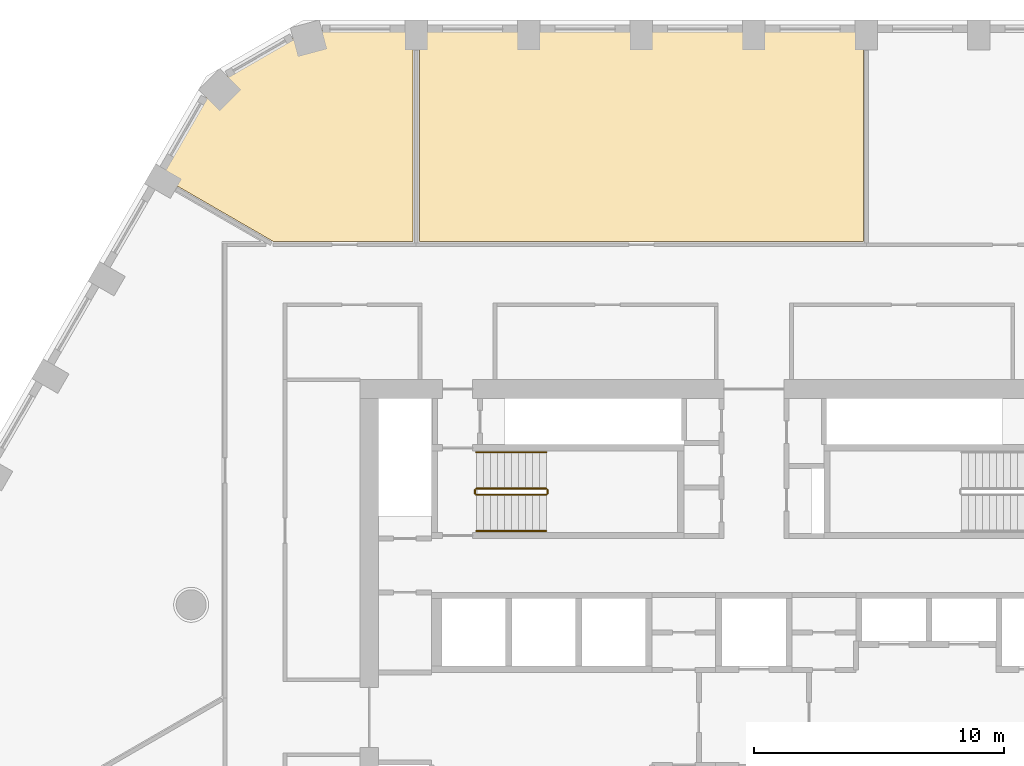
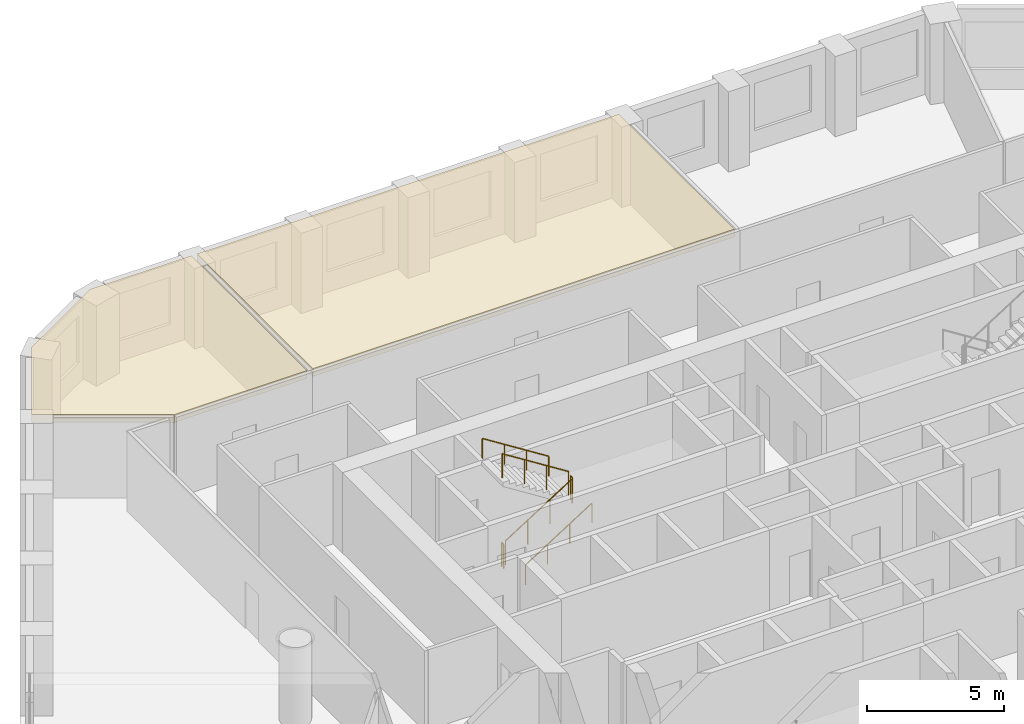
# One storey, part 13 of 14: 6 railings, 2 coverings.
"""IFC4 building model written with IfcOpenShell, lengths in metres."""

from ifc_helpers import new_model, si_unit, direction, frame, origin, origin_2d, place, context, subcontext, project, spatial, polyline, circle, outline, extrude, material, layer, layer_set, type_object, element, save


model = new_model("IFC4")

# Units and contexts
model_context = context("Model", 3, precision=1e-05, world=origin(), true_north=direction((0.0, 1.0)))
body_context = subcontext(model_context, "Body", "Model", "MODEL_VIEW")
ifc_project = project(units=[si_unit("LENGTHUNIT", "METRE"), si_unit("AREAUNIT", "SQUARE_METRE"), si_unit("VOLUMEUNIT", "CUBIC_METRE"), si_unit("PLANEANGLEUNIT", "RADIAN"), si_unit("MASSUNIT", "GRAM", prefix="KILO")], contexts=[model_context])

# Site, building, storey
site_placement = place(None, origin())
site = spatial("IfcSite", under=ifc_project, at=site_placement, CompositionType="ELEMENT")
building_placement = place(site_placement, origin())
building = spatial("IfcBuilding", under=site, at=building_placement, Name="Dhurran Vertical Campus", CompositionType="ELEMENT")
storey_placement = place(building_placement, frame((0.0, 0.0, 140.39990234375)))
storey = spatial("IfcBuildingStorey", under=building, at=storey_placement, Name="L34", CompositionType="ELEMENT", Elevation=140.39990234375)

# Railings
ifc_material_1 = material(Name="Stainless steel balustrade", Category="steel")
railing_type_1 = type_object("IfcRailingType", Name="co-RL-GUARD-1100", PredefinedType="GUARDRAIL", material=ifc_material_1)
railing_1_placement = place(storey_placement, frame((-11.10009765625, 8.89990234375, 0.177490234375)))
element("IfcRailing", 1, at=railing_1_placement, inside=storey, type_object=railing_type_1, Name="L34 ST1 stair guard 1", PredefinedType="GUARDRAIL", context=body_context, shape_type="SweptSolid", body=[
    extrude(circle(Radius=0.02392578125, at=origin_2d()), frame((0.0, 0.0, 1.076171875), z_axis=(0.844908973607, 0.0, 0.534910110503), x_axis=(0.0, 1.0, 0.0)), (0.0, 0.0, 1.0), 3.31396484375),
    extrude(circle(Radius=0.02099609375, at=origin_2d()), origin(), (0.0, 0.0, 1.0), 1.052001953125),
    extrude(circle(Radius=0.02099609375, at=origin_2d()), frame((0.933349609375, 0.0, 0.5908203125)), (0.0, 0.0, 1.0), 1.052001953125),
    extrude(circle(Radius=0.02099609375, at=origin_2d()), frame((1.86669921875, 0.0, 1.181884765625)), (0.0, 0.0, 1.0), 1.052001953125),
    extrude(circle(Radius=0.02099609375, at=origin_2d()), frame((2.800048828125, 0.0, 1.772705078125)), (0.0, 0.0, 1.0), 1.052001953125),
])
railing_2_placement = place(storey_placement, frame((-8.25, 8.949951171875, 1.9501953125)))
element("IfcRailing", 2, at=railing_2_placement, inside=storey, type_object=railing_type_1, Name="L34 ST1 stair guard 2", PredefinedType="GUARDRAIL", context=body_context, shape_type="SweptSolid", body=[
    extrude(circle(Radius=0.02392578125, at=origin_2d()), frame((0.0, 0.0, 1.076171875), z_axis=(0.0, 1.0, 0.0), x_axis=(-1.0, 0.0, 0.0)), (0.0, 0.0, 1.0), 0.150146484375),
    extrude(circle(Radius=0.02099609375, at=origin_2d()), origin(), (0.0, 0.0, 1.0), 1.052001953125),
    extrude(circle(Radius=0.02099609375, at=origin_2d()), frame((0.0, 0.150146484375, 0.0)), (0.0, 0.0, 1.0), 1.052001953125),
])
railing_3_placement = place(storey_placement, frame((-8.300048828125, 9.14990234375, 2.12744140625)))
element("IfcRailing", 3, at=railing_3_placement, inside=storey, type_object=railing_type_1, Name="L34 ST1 stair guard 3", PredefinedType="GUARDRAIL", context=body_context, shape_type="SweptSolid", body=[
    extrude(circle(Radius=0.02392578125, at=origin_2d()), frame((0.0, 0.0, 1.076171875), z_axis=(-0.844908973607, 0.0, 0.534910110503), x_axis=(0.0, -1.0, 0.0)), (0.0, 0.0, 1.0), 3.31396484375),
    extrude(circle(Radius=0.02099609375, at=origin_2d()), origin(), (0.0, 0.0, 1.0), 1.052001953125),
    extrude(circle(Radius=0.02099609375, at=origin_2d()), frame((-0.933349609375, 0.0, 0.5908203125)), (0.0, 0.0, 1.0), 1.052001953125),
    extrude(circle(Radius=0.02099609375, at=origin_2d()), frame((-1.86669921875, 0.0, 1.181884765625)), (0.0, 0.0, 1.0), 1.052001953125),
    extrude(circle(Radius=0.02099609375, at=origin_2d()), frame((-2.800048828125, 0.0, 1.772705078125)), (0.0, 0.0, 1.0), 1.052001953125),
])
railing_4_placement = place(storey_placement, frame((-11.14990234375, 8.949951171875, 0.0)))
element("IfcRailing", 4, at=railing_4_placement, inside=storey, type_object=railing_type_1, Name="L34 ST1 stair guard 4", PredefinedType="GUARDRAIL", context=body_context, shape_type="SweptSolid", body=[
    extrude(circle(Radius=0.02392578125, at=origin_2d()), frame((0.0, 0.0, 1.076171875), z_axis=(0.0, 1.0, 0.0), x_axis=(-1.0, 0.0, 0.0)), (0.0, 0.0, 1.0), 0.150146484375),
    extrude(circle(Radius=0.02099609375, at=origin_2d()), origin(), (0.0, 0.0, 1.0), 1.052001953125),
    extrude(circle(Radius=0.02099609375, at=origin_2d()), frame((0.0, 0.150146484375, 0.0)), (0.0, 0.0, 1.0), 1.052001953125),
])
ifc_material_2 = material(Name="Stainless steel handrail", Category="steel")
railing_type_2 = type_object("IfcRailingType", Name="co-RL-HANDRAIL-900", PredefinedType="HANDRAIL", material=ifc_material_2)
railing_5_placement = place(storey_placement, frame((-11.10009765625, 7.449951171875, 0.177490234375)))
element("IfcRailing", 5, at=railing_5_placement, inside=storey, type_object=railing_type_2, Name="L34 ST1 stair handrail 1", PredefinedType="HANDRAIL", context=body_context, shape_type="SweptSolid", body=[
    extrude(circle(Radius=0.02392578125, at=origin_2d()), frame((0.0, 0.0, 0.8759765625), z_axis=(0.844908973607, 0.0, 0.534910110503), x_axis=(0.0, 1.0, 0.0)), (0.0, 0.0, 1.0), 3.31396484375),
    extrude(circle(Radius=0.02099609375, at=origin_2d()), origin(), (0.0, 0.0, 1.0), 0.851806640625),
    extrude(circle(Radius=0.02099609375, at=origin_2d()), frame((0.933349609375, 0.0, 0.5908203125)), (0.0, 0.0, 1.0), 0.851806640625),
    extrude(circle(Radius=0.02099609375, at=origin_2d()), frame((1.86669921875, 0.0, 1.181884765625)), (0.0, 0.0, 1.0), 0.851806640625),
    extrude(circle(Radius=0.02099609375, at=origin_2d()), frame((2.800048828125, 0.0, 1.772705078125)), (0.0, 0.0, 1.0), 0.851806640625),
])
railing_6_placement = place(storey_placement, frame((-8.300048828125, 10.60009765625, 2.12744140625)))
element("IfcRailing", 6, at=railing_6_placement, inside=storey, type_object=railing_type_2, Name="L34 ST1 stair handrail 2", PredefinedType="HANDRAIL", context=body_context, shape_type="SweptSolid", body=[
    extrude(circle(Radius=0.02392578125, at=origin_2d()), frame((0.0, 0.0, 0.8759765625), z_axis=(-0.844908973607, 0.0, 0.534910110503), x_axis=(0.0, -1.0, 0.0)), (0.0, 0.0, 1.0), 3.31396484375),
    extrude(circle(Radius=0.02099609375, at=origin_2d()), origin(), (0.0, 0.0, 1.0), 0.851806640625),
    extrude(circle(Radius=0.02099609375, at=origin_2d()), frame((-0.933349609375, 0.0, 0.5908203125)), (0.0, 0.0, 1.0), 0.851806640625),
    extrude(circle(Radius=0.02099609375, at=origin_2d()), frame((-1.86669921875, 0.0, 1.181884765625)), (0.0, 0.0, 1.0), 0.851806640625),
    extrude(circle(Radius=0.02099609375, at=origin_2d()), frame((-2.800048828125, 0.0, 1.772705078125)), (0.0, 0.0, 1.0), 0.851806640625),
])

# Coverings
ifc_material_3 = material(Name="Mineral fibre ceiling tiles on suspended grid")
ifc_layer = layer(ifc_material_3, 0.35009765625)
ifc_layer_set = layer_set([ifc_layer], Name="Mineral fibre ceiling tiles on suspended grid")
covering_type = type_object("IfcCoveringType", Name="fl-CE-350 suspended ceiling", PredefinedType="CEILING", material=ifc_layer_set)
covering_1_placement = place(storey_placement, frame((0.0, 0.0, 3.22509765625)))
element("IfcCovering", 7, at=covering_1_placement, inside=storey, type_object=covering_type, Name="Ceiling 34-12", PredefinedType="CEILING", context=body_context, shape_type="SweptSolid", body=[
    extrude(outline(polyline([(-13.6201171875, 19.02001953125), (-19.2041015625, 19.02001953125), (-23.722900390625, 21.6298828125), (-21.589111328125, 25.324951171875), (-17.887939453125, 27.462890625), (-13.6201171875, 27.462890625), (-13.6201171875, 19.02001953125)])), origin(), (0.0, 0.0, 1.0), 0.35009765625),
])
covering_2_placement = place(storey_placement, frame((0.0, 0.0, 3.22509765625)))
element("IfcCovering", 8, at=covering_2_placement, inside=storey, type_object=covering_type, Name="Ceiling 34-20", PredefinedType="CEILING", context=body_context, shape_type="SweptSolid", body=[
    extrude(outline(polyline([(-13.3798828125, 27.462890625), (4.3798828125, 27.462890625), (4.3798828125, 19.02001953125), (-13.3798828125, 19.02001953125), (-13.3798828125, 27.462890625)])), origin(), (0.0, 0.0, 1.0), 0.35009765625),
])

save(model, "model.ifc")
